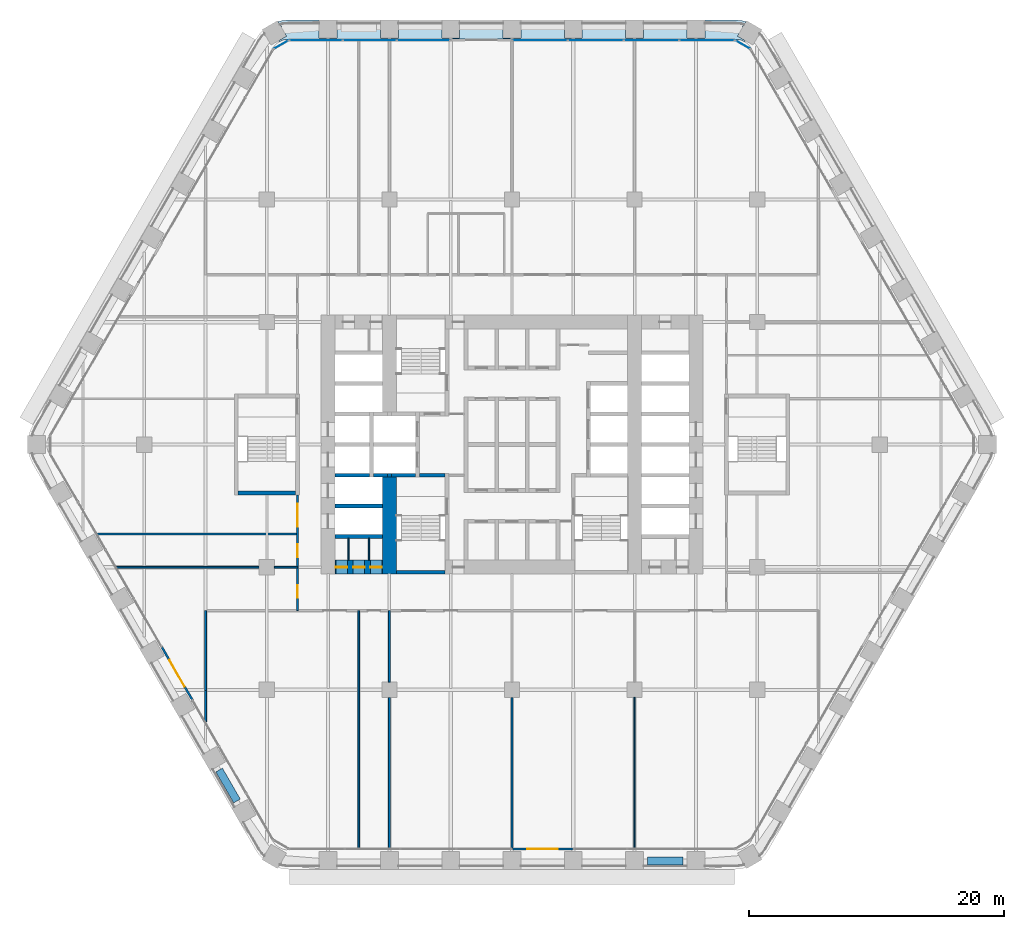
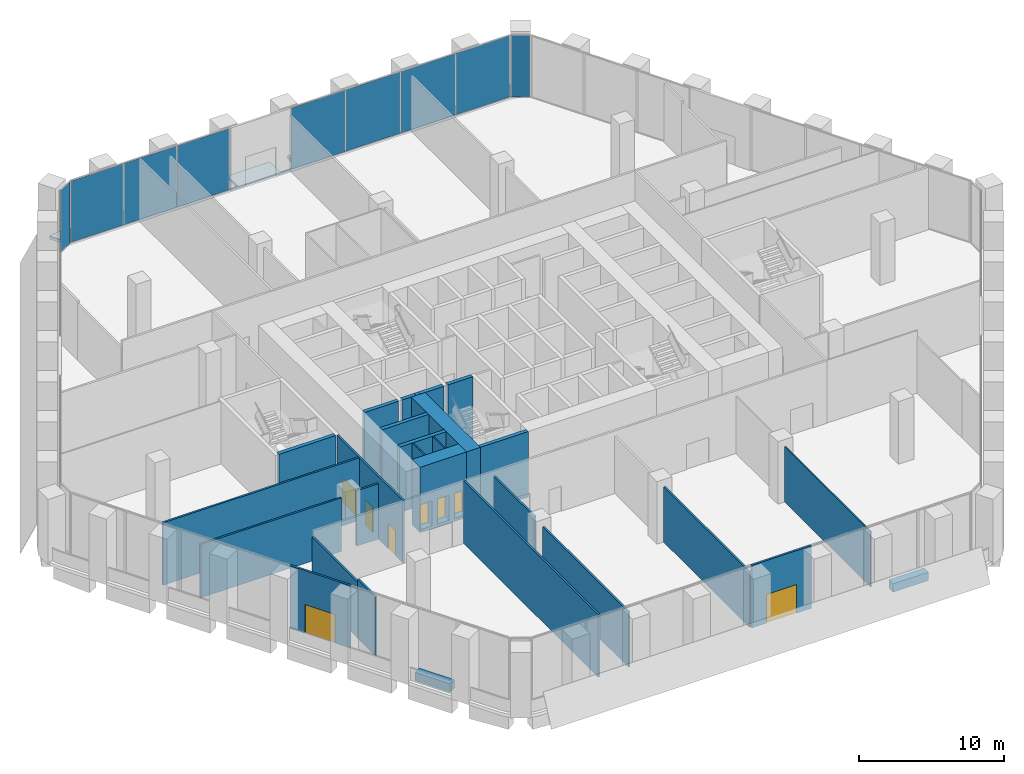
# One storey, part 17 of 27: 28 walls, 9 plates, 8 doors, 1 slab, 8 openings, 4 elements without a shape of their own.
"""IFC4 building model written with IfcOpenShell, lengths in metres."""

from ifc_helpers import new_model, si_unit, direction, frame, frame_2d, origin, origin_2d, place, context, subcontext, project, spatial, polyline, rectangle, outline, extrude, material, layer, layer_set, type_object, element, fill, aggregate, save


model = new_model("IFC4")

# Units and contexts
model_context = context("Model", 3, precision=1e-05, world=origin(), true_north=direction((0.0, 1.0)))
body_context = subcontext(model_context, "Body", "Model", "MODEL_VIEW")
ifc_project = project(units=[si_unit("LENGTHUNIT", "METRE"), si_unit("AREAUNIT", "SQUARE_METRE"), si_unit("VOLUMEUNIT", "CUBIC_METRE"), si_unit("PLANEANGLEUNIT", "RADIAN"), si_unit("MASSUNIT", "GRAM", prefix="KILO")], contexts=[model_context])

# Site, building, storey
site_placement = place(None, origin())
site = spatial("IfcSite", under=ifc_project, at=site_placement, CompositionType="ELEMENT")
building_placement = place(site_placement, origin())
building = spatial("IfcBuilding", under=site, at=building_placement, Name="Kolab Exchange Tower", CompositionType="ELEMENT")
storey_placement = place(building_placement, frame((0.0, 0.0, 44.39990234375)))
storey = spatial("IfcBuildingStorey", under=building, at=storey_placement, Name="L08", CompositionType="ELEMENT", Elevation=44.39990234375)

# Slab
ifc_material_1 = material(Name="Concrete C35/45", Category="concrete")
ifc_layer_1 = layer(ifc_material_1, 0.25)
ifc_layer_set_1 = layer_set([ifc_layer_1], Name="Concrete C35/45")
slab_type = type_object("IfcSlabType", Name="LOGGIA SLAB 250", PredefinedType="FLOOR", material=ifc_layer_set_1)
slab_placement = place(storey_placement, frame((0.0, 0.0, -0.25)))
element("IfcSlab", 1, at=slab_placement, inside=storey, type_object=slab_type, Name="slab/L08/loggia/0-0", PredefinedType="FLOOR", context=body_context, shape_type="SweptSolid", body=[
    extrude(outline(polyline([(18.218017578125, 31.554443359375), (18.26806640625, 31.64111328125), (17.66162109375, 31.990966796875), (18.31494140625, 33.122314453125), (17.989013671875, 33.209716796875), (17.468017578125, 33.25537109375), (15.10009765625, 33.25537109375), (15.10009765625, 31.85546875), (13.699951171875, 31.85546875), (13.699951171875, 33.25537109375), (10.300048828125, 33.25537109375), (10.300048828125, 31.85546875), (8.89990234375, 31.85546875), (8.89990234375, 33.25537109375), (5.5, 33.25537109375), (5.5, 31.85546875), (4.10009765625, 31.85546875), (4.10009765625, 33.25537109375), (0.699951171875, 33.25537109375), (0.699951171875, 31.85546875), (-0.699951171875, 31.85546875), (-0.699951171875, 33.25537109375), (-4.10009765625, 33.25537109375), (-4.10009765625, 31.85546875), (-5.5, 31.85546875), (-5.5, 33.25537109375), (-8.89990234375, 33.25537109375), (-8.89990234375, 31.85546875), (-10.300048828125, 31.85546875), (-10.300048828125, 33.25537109375), (-13.699951171875, 33.25537109375), (-13.699951171875, 31.85546875), (-15.10009765625, 31.85546875), (-15.10009765625, 33.25537109375), (-17.468017578125, 33.25537109375), (-17.989013671875, 33.209716796875), (-18.31494140625, 33.122314453125), (-17.66162109375, 31.990966796875), (-18.26806640625, 31.64111328125), (-18.218017578125, 31.554443359375), (-17.98095703125, 31.664794921875), (-17.728515625, 31.732666015625), (-17.468017578125, 31.75537109375), (17.468017578125, 31.75537109375), (17.728515625, 31.732666015625), (17.98095703125, 31.664794921875), (18.218017578125, 31.554443359375)])), origin(), (0.0, 0.0, 1.0), 0.25),
])

# Curtain wall, plates
ifc_material_2 = material(Name="Aluminium EN AW-6063 T6", Category="aluminium")
curtain_wall_type = type_object("IfcCurtainWallType", Name="UNITISED LOW ZONE CURTAIN WALL", PredefinedType="NOTDEFINED", material=ifc_material_2)
curtain_wall_1_placement = place(storey_placement, origin())
curtain_wall_1 = element("IfcCurtainWall", 2, at=curtain_wall_1_placement, inside=storey, type_object=curtain_wall_type, Name="cw/L08/F1-1", PredefinedType="NOTDEFINED")
ifc_material_3 = material(Name="Clear insulated glazing unit", Category="glass")
ifc_layer_2 = layer(ifc_material_3, 0.02392578125)
ifc_layer_set_2 = layer_set([ifc_layer_2], Name="Clear insulated glazing unit")
plate_type = type_object("IfcPlateType", Name="UNITISED LOW ZONE GLASS PANEL 24", PredefinedType="CURTAIN_PANEL", material=ifc_layer_set_2)
plate_1_placement = place(storey_placement, frame((-15.341552734375, 31.67529296875, 0.06005859375), z_axis=(0.0, 0.0, 1.0), x_axis=(1.0, 0.0, 0.0)))
plate_1 = element("IfcPlate", 3, at=plate_1_placement, type_object=plate_type, Name="CW1 panel 1.1", PredefinedType="CURTAIN_PANEL", context=body_context, shape_type="SweptSolid", body=[
    extrude(rectangle(XDim=4.132568359375, YDim=0.02392578125, at=origin_2d()), origin(), (0.0, 0.0, 1.0), 5.1298828125),
])
plate_2_placement = place(storey_placement, frame((-11.134033203125, 31.67529296875, 0.06005859375), z_axis=(0.0, 0.0, 1.0), x_axis=(1.0, 0.0, 0.0)))
plate_2 = element("IfcPlate", 4, at=plate_2_placement, type_object=plate_type, Name="CW1 panel 2.1", PredefinedType="CURTAIN_PANEL", context=body_context, shape_type="SweptSolid", body=[
    extrude(rectangle(XDim=4.16259765625, YDim=0.02392578125, at=origin_2d()), origin(), (0.0, 0.0, 1.0), 5.1298828125),
])
plate_3_placement = place(storey_placement, frame((-6.92626953125, 31.67529296875, 0.06005859375), z_axis=(0.0, 0.0, 1.0), x_axis=(1.0, 0.0, 0.0)))
plate_3 = element("IfcPlate", 5, at=plate_3_placement, type_object=plate_type, Name="CW1 panel 3.1", PredefinedType="CURTAIN_PANEL", context=body_context, shape_type="SweptSolid", body=[
    extrude(rectangle(XDim=4.132568359375, YDim=0.02392578125, at=origin_2d()), origin(), (0.0, 0.0, 1.0), 5.1298828125),
])
aggregate(curtain_wall_1, [plate_1, plate_2, plate_3])

curtain_wall_2_placement = place(storey_placement, origin())
curtain_wall_2 = element("IfcCurtainWall", 6, at=curtain_wall_2_placement, inside=storey, type_object=curtain_wall_type, Name="cw/L08/F1-2", PredefinedType="NOTDEFINED")
plate_4_placement = place(storey_placement, frame((2.198486328125, 31.67529296875, 0.06005859375), z_axis=(0.0, 0.0, 1.0), x_axis=(1.0, 0.0, 0.0)))
plate_4 = element("IfcPlate", 7, at=plate_4_placement, type_object=plate_type, Name="CW1 panel 1.1", PredefinedType="CURTAIN_PANEL", context=body_context, shape_type="SweptSolid", body=[
    extrude(rectangle(XDim=4.277099609375, YDim=0.02392578125, at=origin_2d()), origin(), (0.0, 0.0, 1.0), 5.1298828125),
])
plate_5_placement = place(storey_placement, frame((6.550537109375, 31.67529296875, 0.06005859375), z_axis=(0.0, 0.0, 1.0), x_axis=(1.0, 0.0, 0.0)))
plate_5 = element("IfcPlate", 8, at=plate_5_placement, type_object=plate_type, Name="CW1 panel 2.1", PredefinedType="CURTAIN_PANEL", context=body_context, shape_type="SweptSolid", body=[
    extrude(rectangle(XDim=4.306884765625, YDim=0.02392578125, at=origin_2d()), origin(), (0.0, 0.0, 1.0), 5.1298828125),
])
plate_6_placement = place(storey_placement, frame((10.91748046875, 31.67529296875, 0.06005859375), z_axis=(0.0, 0.0, 1.0), x_axis=(1.0, 0.0, 0.0)))
plate_6 = element("IfcPlate", 9, at=plate_6_placement, type_object=plate_type, Name="CW1 panel 3.1", PredefinedType="CURTAIN_PANEL", context=body_context, shape_type="SweptSolid", body=[
    extrude(rectangle(XDim=4.306884765625, YDim=0.02392578125, at=origin_2d()), origin(), (0.0, 0.0, 1.0), 5.1298828125),
])
plate_7_placement = place(storey_placement, frame((15.26953125, 31.67529296875, 0.06005859375), z_axis=(0.0, 0.0, 1.0), x_axis=(1.0, 0.0, 0.0)))
plate_7 = element("IfcPlate", 10, at=plate_7_placement, type_object=plate_type, Name="CW1 panel 4.1", PredefinedType="CURTAIN_PANEL", context=body_context, shape_type="SweptSolid", body=[
    extrude(rectangle(XDim=4.277099609375, YDim=0.02392578125, at=origin_2d()), origin(), (0.0, 0.0, 1.0), 5.1298828125),
])
aggregate(curtain_wall_2, [plate_4, plate_5, plate_6, plate_7])

# Curtain wall, plate
curtain_wall_3_placement = place(storey_placement, origin())
curtain_wall_3 = element("IfcCurtainWall", 11, at=curtain_wall_3_placement, inside=storey, type_object=curtain_wall_type, Name="cw/L08/F1F2-corner", PredefinedType="NOTDEFINED")
plate_8_placement = place(storey_placement, frame((18.082763671875, 31.3203125, 0.06005859375), z_axis=(0.0, 0.0, 1.0), x_axis=(0.866025390869, -0.50000002237, 0.0)))
plate_8 = element("IfcPlate", 12, at=plate_8_placement, type_object=plate_type, Name="CW1 panel 1.1", PredefinedType="CURTAIN_PANEL", context=body_context, shape_type="SweptSolid", body=[
    extrude(rectangle(XDim=1.300048828125, YDim=0.02392578125, at=origin_2d()), origin(), (0.0, 0.0, 1.0), 5.1298828125),
])
aggregate(curtain_wall_3, [plate_8])

curtain_wall_4_placement = place(storey_placement, origin())
curtain_wall_4 = element("IfcCurtainWall", 13, at=curtain_wall_4_placement, inside=storey, type_object=curtain_wall_type, Name="cw/L08/F6F1-corner", PredefinedType="NOTDEFINED")
plate_9_placement = place(storey_placement, frame((-18.082763671875, 31.3203125, 0.06005859375), z_axis=(0.0, 0.0, 1.0), x_axis=(0.866025390869, 0.50000002237, 0.0)))
plate_9 = element("IfcPlate", 14, at=plate_9_placement, type_object=plate_type, Name="CW1 panel 1.1", PredefinedType="CURTAIN_PANEL", context=body_context, shape_type="SweptSolid", body=[
    extrude(rectangle(XDim=1.300048828125, YDim=0.02392578125, at=origin_2d()), origin(), (0.0, 0.0, 1.0), 5.1298828125),
])
aggregate(curtain_wall_4, [plate_9])

# Wall, openings, doors
ifc_material_4 = material(Name="Concrete C80/95", Category="concrete")
ifc_layer_3 = layer(ifc_material_4, 1.10009765625)
ifc_layer_set_3 = layer_set([ifc_layer_3], Name="Concrete C80/95")
wall_type_1 = type_object("IfcWallType", Name="CORE WALL 1100 C80/95", PredefinedType="SHEAR", material=ifc_layer_set_3)
wall_1_placement = place(storey_placement, frame((-13.85009765625, -9.60009765625, -0.25), z_axis=(0.0, 0.0, 1.0), x_axis=(1.0, 0.0, 0.0)))
wall_1 = element("IfcWall", 15, at=wall_1_placement, inside=storey, type_object=wall_type_1, Name="wall/L08/core/002", PredefinedType="SHEAR", context=body_context, shape_type="SweptSolid", body=[
    extrude(rectangle(XDim=3.7001953125, YDim=1.10009765625, at=frame_2d((1.85009765625, 0.0))), origin(), (0.0, 0.0, 1.0), 5.5),
])
opening_1_placement = place(wall_1_placement, frame((0.050048828125, 0.0, 0.25)))
opening_1 = element("IfcOpeningElement", 16, at=opening_1_placement, cuts=wall_1, Name="Opening D6-112", PredefinedType="OPENING", context=body_context, shape_type="SweptSolid", body=[
    extrude(rectangle(XDim=0.89990234375, YDim=2.10009765625, at=frame_2d((0.449951171875, 1.050048828125))), frame((0.0, 0.56005859375, 0.0), z_axis=(0.0, -1.0, 0.0), x_axis=(1.0, 0.0, 0.0)), (0.0, 0.0, 1.0), 1.1201171875),
])
opening_2_placement = place(wall_1_placement, frame((1.39990234375, 0.0, 0.25)))
opening_2 = element("IfcOpeningElement", 17, at=opening_2_placement, cuts=wall_1, Name="Opening D6-113", PredefinedType="OPENING", context=body_context, shape_type="SweptSolid", body=[
    extrude(rectangle(XDim=0.89990234375, YDim=2.10009765625, at=frame_2d((0.449951171875, 1.050048828125))), frame((0.0, 0.56005859375, 0.0), z_axis=(0.0, -1.0, 0.0), x_axis=(1.0, 0.0, 0.0)), (0.0, 0.0, 1.0), 1.1201171875),
])
opening_3_placement = place(wall_1_placement, frame((2.75, 0.0, 0.25)))
opening_3 = element("IfcOpeningElement", 18, at=opening_3_placement, cuts=wall_1, Name="Opening D6-102", PredefinedType="OPENING", context=body_context, shape_type="SweptSolid", body=[
    extrude(rectangle(XDim=0.89990234375, YDim=2.10009765625, at=frame_2d((0.449951171875, 1.050048828125))), frame((0.0, 0.56005859375, 0.0), z_axis=(0.0, -1.0, 0.0), x_axis=(1.0, 0.0, 0.0)), (0.0, 0.0, 1.0), 1.1201171875),
])
ifc_material_5 = material(Name="Steel S235", Category="steel")
door_type_1 = type_object("IfcDoorType", Name="CORE DOOR 900 EI 120", OperationType="SINGLE_SWING_LEFT", PredefinedType="DOOR", material=ifc_material_5)
door_1_placement = place(opening_1_placement, origin())
door_1 = element("IfcDoor", 19, at=door_1_placement, inside=storey, type_object=door_type_1, Name="Service room door", OperationType="SINGLE_SWING_RIGHT", OverallHeight=2.10009765625, OverallWidth=0.89990234375, PredefinedType="DOOR", context=body_context, shape_type="SweptSolid", body=[
    extrude(rectangle(XDim=0.89990234375, YDim=2.10009765625, at=frame_2d((0.449951171875, 1.050048828125))), frame((0.0, 0.02490234375, 0.0), z_axis=(0.0, -1.0, 0.0), x_axis=(1.0, 0.0, 0.0)), (0.0, 0.0, 1.0), 0.050048828125),
])
fill(opening_1, door_1)
door_2_placement = place(opening_2_placement, origin())
door_2 = element("IfcDoor", 20, at=door_2_placement, inside=storey, type_object=door_type_1, Name="Service room door", OperationType="SINGLE_SWING_LEFT", OverallHeight=2.10009765625, OverallWidth=0.89990234375, PredefinedType="DOOR", context=body_context, shape_type="SweptSolid", body=[
    extrude(rectangle(XDim=0.89990234375, YDim=2.10009765625, at=frame_2d((0.449951171875, 1.050048828125))), frame((0.0, 0.02490234375, 0.0), z_axis=(0.0, -1.0, 0.0), x_axis=(1.0, 0.0, 0.0)), (0.0, 0.0, 1.0), 0.050048828125),
])
fill(opening_2, door_2)
door_3_placement = place(opening_3_placement, origin())
door_3 = element("IfcDoor", 21, at=door_3_placement, inside=storey, type_object=door_type_1, Name="Service room door", OperationType="SINGLE_SWING_LEFT", OverallHeight=2.10009765625, OverallWidth=0.89990234375, PredefinedType="DOOR", context=body_context, shape_type="SweptSolid", body=[
    extrude(rectangle(XDim=0.89990234375, YDim=2.10009765625, at=frame_2d((0.449951171875, 1.050048828125))), frame((0.0, 0.02490234375, 0.0), z_axis=(0.0, -1.0, 0.0), x_axis=(1.0, 0.0, 0.0)), (0.0, 0.0, 1.0), 0.050048828125),
])
fill(opening_3, door_3)

# Wall
wall_2_placement = place(storey_placement, frame((-9.60009765625, -10.14990234375, -0.25), z_axis=(0.0, 0.0, 1.0), x_axis=(0.0, 1.0, 0.0)))
element("IfcWall", 22, at=wall_2_placement, inside=storey, type_object=wall_type_1, Name="wall/L08/core/059", PredefinedType="SHEAR", context=body_context, shape_type="SweptSolid", body=[
    extrude(rectangle(XDim=7.599853515625, YDim=1.10009765625, at=frame_2d((3.7998046875, 0.0))), origin(), (0.0, 0.0, 1.0), 5.5),
])

# Wall, opening, door
ifc_layer_4 = layer(ifc_material_2, 0.159912109375)
ifc_layer_set_4 = layer_set([ifc_layer_4], Name="Aluminium EN AW-6063 T6")
wall_type_2 = type_object("IfcWallType", Name="DOOR SURROUND WALL 160 ALUMINIUM FRAMED", PredefinedType="PARTITIONING", material=ifc_layer_set_4)
wall_3_placement = place(storey_placement, frame((4.77001953125, -31.67529296875, 0.0), z_axis=(0.0, 0.0, 1.0), x_axis=(-1.0, 0.0, 0.0)))
wall_3 = element("IfcWall", 23, at=wall_3_placement, inside=storey, type_object=wall_type_2, Name="Door surround wall", PredefinedType="PARTITIONING", context=body_context, shape_type="SweptSolid", body=[
    extrude(rectangle(XDim=4.739990234375, YDim=0.159912109375, at=frame_2d((2.3701171875, 0.0))), origin(), (0.0, 0.0, 1.0), 5.25),
])
opening_4_placement = place(wall_3_placement, frame((1.169921875, 0.0, 0.0)))
opening_4 = element("IfcOpeningElement", 24, at=opening_4_placement, cuts=wall_3, Name="Opening GD1-020", PredefinedType="OPENING", context=body_context, shape_type="SweptSolid", body=[
    extrude(rectangle(XDim=2.39990234375, YDim=2.39990234375, at=frame_2d((1.199951171875, 1.199951171875))), frame((0.0, 0.08984375, 0.0), z_axis=(0.0, -1.0, 0.0), x_axis=(1.0, 0.0, 0.0)), (0.0, 0.0, 1.0), 0.179931640625),
])
door_type_2 = type_object("IfcDoorType", Name="LOGGIA SLIDING GLASS DOOR 2400 X 2400", OperationType="DOUBLE_DOOR_SINGLE_SWING", PredefinedType="DOOR", material=ifc_material_2)
door_4_placement = place(opening_4_placement, origin())
door_4 = element("IfcDoor", 25, at=door_4_placement, inside=storey, type_object=door_type_2, Name="Loggia door", OperationType="DOUBLE_DOOR_SLIDING", OverallHeight=2.39990234375, OverallWidth=2.39990234375, PredefinedType="DOOR", context=body_context, shape_type="SweptSolid", body=[
    extrude(rectangle(XDim=2.39990234375, YDim=2.39990234375, at=frame_2d((1.199951171875, 1.199951171875))), frame((0.0, 0.02490234375, 0.0), z_axis=(0.0, -1.0, 0.0), x_axis=(1.0, 0.0, 0.0)), (0.0, 0.0, 1.0), 0.050048828125),
])
fill(opening_4, door_4)

wall_4_placement = place(storey_placement, frame((-25.046630859375, -19.96875, 0.0), z_axis=(0.0, 0.0, 1.0), x_axis=(-0.5000167099, 0.866015756104, 0.0)))
wall_4 = element("IfcWall", 26, at=wall_4_placement, inside=storey, type_object=wall_type_2, Name="Door surround wall", PredefinedType="PARTITIONING", context=body_context, shape_type="SweptSolid", body=[
    extrude(rectangle(XDim=4.739990234375, YDim=0.159912109375, at=frame_2d((2.3701171875, 0.0))), origin(), (0.0, 0.0, 1.0), 5.25),
])
opening_5_placement = place(wall_4_placement, frame((1.169921875, 0.0, 0.0)))
opening_5 = element("IfcOpeningElement", 27, at=opening_5_placement, cuts=wall_4, Name="Opening GD1-021", PredefinedType="OPENING", context=body_context, shape_type="SweptSolid", body=[
    extrude(rectangle(XDim=2.39990234375, YDim=2.39990234375, at=frame_2d((1.199951171875, 1.199951171875))), frame((0.0, 0.08984375, 0.0), z_axis=(0.0, -1.0, 0.0), x_axis=(1.0, 0.0, 0.0)), (0.0, 0.0, 1.0), 0.179931640625),
])
door_5_placement = place(opening_5_placement, origin())
door_5 = element("IfcDoor", 28, at=door_5_placement, inside=storey, type_object=door_type_2, Name="Loggia door", OperationType="DOUBLE_DOOR_SLIDING", OverallHeight=2.39990234375, OverallWidth=2.39990234375, PredefinedType="DOOR", context=body_context, shape_type="SweptSolid", body=[
    extrude(rectangle(XDim=2.39990234375, YDim=2.39990234375, at=frame_2d((1.199951171875, 1.199951171875))), frame((0.0, 0.02490234375, 0.0), z_axis=(0.0, -1.0, 0.0), x_axis=(1.0, 0.0, 0.0)), (0.0, 0.0, 1.0), 0.050048828125),
])
fill(opening_5, door_5)

# Walls
ifc_material_6 = material(Name="Concrete C50/60", Category="concrete")
ifc_layer_5 = layer(ifc_material_6, 0.300048828125)
ifc_layer_set_5 = layer_set([ifc_layer_5], Name="Concrete C50/60")
wall_type_3 = type_object("IfcWallType", Name="LIFT SHAFT WALL 300 C50/60", PredefinedType="STANDARD", material=ifc_layer_set_5)
for number, where, z_axis, x_axis, name in (
    (29, (-13.85009765625, -7.199951171875, -0.25), (0.0, 0.0, 1.0), (1.0, 0.0, 0.0), "wall/L08/core/005"),
    (30, (-13.85009765625, -4.800048828125, -0.25), (0.0, 0.0, 1.0), (1.0, 0.0, 0.0), "wall/L08/core/010"),
):
    element("IfcWall", number, at=place(storey_placement, frame(where, z_axis=z_axis, x_axis=x_axis)), inside=storey, type_object=wall_type_3, Name=name, PredefinedType="STANDARD", context=body_context, shape_type="SweptSolid", body=[
        extrude(rectangle(XDim=3.7001953125, YDim=0.300048828125, at=frame_2d((1.85009765625, 0.0))), origin(), (0.0, 0.0, 1.0), 5.5),
    ])
wall_5_placement = place(storey_placement, frame((-13.85009765625, -2.39990234375, -0.25), z_axis=(0.0, 0.0, 1.0), x_axis=(1.0, 0.0, 0.0)))
element("IfcWall", 31, at=wall_5_placement, inside=storey, type_object=wall_type_3, Name="wall/L08/core/017", PredefinedType="STANDARD", context=body_context, shape_type="SweptSolid", body=[
    extrude(rectangle(XDim=2.7001953125, YDim=0.300048828125, at=frame_2d((1.35009765625, 0.0))), origin(), (0.0, 0.0, 1.0), 5.5),
])
wall_6_placement = place(storey_placement, frame((-10.85009765625, -2.39990234375, -0.25), z_axis=(0.0, 0.0, 1.0), x_axis=(1.0, 0.0, 0.0)))
element("IfcWall", 32, at=wall_6_placement, inside=storey, type_object=wall_type_3, Name="wall/L08/core/018", PredefinedType="STANDARD", context=body_context, shape_type="SweptSolid", body=[
    extrude(rectangle(XDim=1.10009765625, YDim=0.300048828125, at=frame_2d((0.550048828125, 0.0))), origin(), (0.0, 0.0, 1.0), 5.5),
])
ifc_material_7 = material(Name="Gypsum board", Category="gypsum")
ifc_layer_6 = layer(ifc_material_7, 0.10009765625)
ifc_layer_set_6 = layer_set([ifc_layer_6], Name="Gypsum board")
wall_type_4 = type_object("IfcWallType", Name="PARTITION 100", PredefinedType="PARTITIONING", material=ifc_layer_set_6)
wall_7_placement = place(storey_placement, frame((9.60009765625, -31.58544921875, 0.0), z_axis=(0.0, 0.0, 1.0), x_axis=(0.0, 1.0, 0.0)))
element("IfcWall", 33, at=wall_7_placement, inside=storey, type_object=wall_type_4, Name="Partition 005", PredefinedType="PARTITIONING", context=body_context, shape_type="SweptSolid", body=[
    extrude(rectangle(XDim=11.785400390625, YDim=0.10009765625, at=frame_2d((5.892578125, 0.0))), origin(), (0.0, 0.0, 1.0), 4.64208984375),
])
for number, where, z_axis, x_axis, name in (
    (34, (-11.199951171875, -9.050048828125, 0.0), (0.0, 0.0, 1.0), (0.0, 1.0, 0.0), "Partition 020"),
    (35, (-12.800048828125, -9.050048828125, 0.0), (0.0, 0.0, 1.0), (0.0, 1.0, 0.0), "Partition 024"),
):
    element("IfcWall", number, at=place(storey_placement, frame(where, z_axis=z_axis, x_axis=x_axis)), inside=storey, type_object=wall_type_4, Name=name, PredefinedType="PARTITIONING", context=body_context, shape_type="SweptSolid", body=[
        extrude(rectangle(XDim=1.699951171875, YDim=0.10009765625, at=frame_2d((0.85009765625, 0.0))), origin(), (0.0, 0.0, 1.0), 5.25),
    ])
ifc_layer_7 = layer(ifc_material_7, 0.14990234375)
ifc_layer_set_7 = layer_set([ifc_layer_7], Name="Gypsum board")
wall_type_5 = type_object("IfcWallType", Name="PARTITION 150 FIRE-RATED", PredefinedType="PARTITIONING", material=ifc_layer_set_7)
wall_8_placement = place(storey_placement, frame((0.0, -31.595458984375, 0.0), z_axis=(0.0, 0.0, 1.0), x_axis=(0.0, 1.0, 0.0)))
element("IfcWall", 36, at=wall_8_placement, inside=storey, type_object=wall_type_5, Name="Partition 009", PredefinedType="PARTITIONING", context=body_context, shape_type="SweptSolid", body=[
    extrude(rectangle(XDim=11.79541015625, YDim=0.14990234375, at=frame_2d((5.897705078125, 0.0))), origin(), (0.0, 0.0, 1.0), 4.64208984375),
])
wall_9_placement = place(storey_placement, frame((-9.60009765625, -31.58544921875, 0.0), z_axis=(0.0, 0.0, 1.0), x_axis=(0.0, 1.0, 0.0)))
element("IfcWall", 37, at=wall_9_placement, inside=storey, type_object=wall_type_5, Name="Partition 016", PredefinedType="PARTITIONING", context=body_context, shape_type="SweptSolid", body=[
    extrude(rectangle(XDim=11.785400390625, YDim=0.14990234375, at=frame_2d((5.892578125, 0.0))), origin(), (0.0, 0.0, 1.0), 4.64208984375),
])
wall_10_placement = place(storey_placement, frame((-9.60009765625, -18.60009765625, 0.0), z_axis=(0.0, 0.0, 1.0), x_axis=(0.0, 1.0, 0.0)))
element("IfcWall", 38, at=wall_10_placement, inside=storey, type_object=wall_type_5, Name="Partition 017", PredefinedType="PARTITIONING", context=body_context, shape_type="SweptSolid", body=[
    extrude(rectangle(XDim=5.60009765625, YDim=0.14990234375, at=frame_2d((2.800048828125, 0.0))), origin(), (0.0, 0.0, 1.0), 4.793212890625),
])
wall_11_placement = place(storey_placement, frame((-12.0, -31.58544921875, 0.0), z_axis=(0.0, 0.0, 1.0), x_axis=(0.0, 1.0, 0.0)))
element("IfcWall", 39, at=wall_11_placement, inside=storey, type_object=wall_type_5, Name="Partition 022", PredefinedType="PARTITIONING", context=body_context, shape_type="SweptSolid", body=[
    extrude(rectangle(XDim=18.58544921875, YDim=0.14990234375, at=frame_2d((9.292724609375, 0.0))), origin(), (0.0, 0.0, 1.0), 5.25),
])

# Wall, openings, doors
wall_12_placement = place(storey_placement, frame((-16.800048828125, -13.0, 0.0), z_axis=(0.0, 0.0, 1.0), x_axis=(0.0, 1.0, 0.0)))
wall_12 = element("IfcWall", 40, at=wall_12_placement, inside=storey, type_object=wall_type_5, Name="Partition 025", PredefinedType="PARTITIONING", context=body_context, shape_type="SweptSolid", body=[
    extrude(rectangle(XDim=9.050048828125, YDim=0.14990234375, at=frame_2d((4.52490234375, 0.0))), origin(), (0.0, 0.0, 1.0), 5.25),
])
opening_6_placement = place(wall_12_placement, frame((1.0, 0.0, 0.0)))
opening_6 = element("IfcOpeningElement", 41, at=opening_6_placement, cuts=wall_12, Name="Opening D1-120", PredefinedType="OPENING", context=body_context, shape_type="SweptSolid", body=[
    extrude(rectangle(XDim=1.0, YDim=2.10009765625, at=frame_2d((0.5, 1.050048828125))), frame((0.0, 0.0849609375, 0.0), z_axis=(0.0, -1.0, 0.0), x_axis=(1.0, 0.0, 0.0)), (0.0, 0.0, 1.0), 0.169921875),
])
opening_7_placement = place(wall_12_placement, frame((4.199951171875, 0.0, 0.0)))
opening_7 = element("IfcOpeningElement", 42, at=opening_7_placement, cuts=wall_12, Name="Opening D1-121", PredefinedType="OPENING", context=body_context, shape_type="SweptSolid", body=[
    extrude(rectangle(XDim=1.0, YDim=2.10009765625, at=frame_2d((0.5, 1.050048828125))), frame((0.0, 0.0849609375, 0.0), z_axis=(0.0, -1.0, 0.0), x_axis=(1.0, 0.0, 0.0)), (0.0, 0.0, 1.0), 0.169921875),
])
opening_8_placement = place(wall_12_placement, frame((6.574951171875, 0.0, 0.0)))
opening_8 = element("IfcOpeningElement", 43, at=opening_8_placement, cuts=wall_12, Name="Opening D2-026", PredefinedType="OPENING", context=body_context, shape_type="SweptSolid", body=[
    extrude(rectangle(XDim=1.800048828125, YDim=2.10009765625, at=frame_2d((0.89990234375, 1.050048828125))), frame((0.0, 0.0849609375, 0.0), z_axis=(0.0, -1.0, 0.0), x_axis=(1.0, 0.0, 0.0)), (0.0, 0.0, 1.0), 0.169921875),
])
door_type_3 = type_object("IfcDoorType", Name="DOUBLE DOOR 1800 FD60", OperationType="DOUBLE_DOOR_SINGLE_SWING", PredefinedType="DOOR", material=ifc_material_5)
door_6_placement = place(opening_8_placement, origin())
door_6 = element("IfcDoor", 44, at=door_6_placement, inside=storey, type_object=door_type_3, Name="Door L08-066", OperationType="SINGLE_SWING_LEFT", OverallHeight=2.10009765625, OverallWidth=1.800048828125, PredefinedType="DOOR", context=body_context, shape_type="SweptSolid", body=[
    extrude(rectangle(XDim=1.800048828125, YDim=2.10009765625, at=frame_2d((0.89990234375, 1.050048828125))), frame((0.0, 0.02490234375, 0.0), z_axis=(0.0, -1.0, 0.0), x_axis=(1.0, 0.0, 0.0)), (0.0, 0.0, 1.0), 0.050048828125),
])
fill(opening_8, door_6)
door_type_4 = type_object("IfcDoorType", Name="FLUSH DOOR 1000 FD60", OperationType="SINGLE_SWING_LEFT", PredefinedType="DOOR", material=ifc_material_5)
door_7_placement = place(opening_6_placement, origin())
door_7 = element("IfcDoor", 45, at=door_7_placement, inside=storey, type_object=door_type_4, Name="Door L08-064", OperationType="SINGLE_SWING_LEFT", OverallHeight=2.10009765625, OverallWidth=1.0, PredefinedType="DOOR", context=body_context, shape_type="SweptSolid", body=[
    extrude(rectangle(XDim=1.0, YDim=2.10009765625, at=frame_2d((0.5, 1.050048828125))), frame((0.0, 0.02490234375, 0.0), z_axis=(0.0, -1.0, 0.0), x_axis=(1.0, 0.0, 0.0)), (0.0, 0.0, 1.0), 0.050048828125),
])
fill(opening_6, door_7)
door_8_placement = place(opening_7_placement, origin())
door_8 = element("IfcDoor", 46, at=door_8_placement, inside=storey, type_object=door_type_4, Name="Door L08-065", OperationType="SINGLE_SWING_LEFT", OverallHeight=2.10009765625, OverallWidth=1.0, PredefinedType="DOOR", context=body_context, shape_type="SweptSolid", body=[
    extrude(rectangle(XDim=1.0, YDim=2.10009765625, at=frame_2d((0.5, 1.050048828125))), frame((0.0, 0.02490234375, 0.0), z_axis=(0.0, -1.0, 0.0), x_axis=(1.0, 0.0, 0.0)), (0.0, 0.0, 1.0), 0.050048828125),
])
fill(opening_7, door_8)

# Walls
wall_13_placement = place(storey_placement, frame((-24.0, -19.27392578125, 0.0), z_axis=(0.0, 0.0, 1.0), x_axis=(0.0, 1.0, 0.0)))
element("IfcWall", 47, at=wall_13_placement, inside=storey, type_object=wall_type_5, Name="Partition 027", PredefinedType="PARTITIONING", context=body_context, shape_type="SweptSolid", body=[
    extrude(rectangle(XDim=6.27392578125, YDim=0.14990234375, at=frame_2d((3.136962890625, 0.0))), origin(), (0.0, 0.0, 1.0), 4.717041015625),
])
wall_14_placement = place(storey_placement, frame((-24.0, -21.701416015625, 0.0), z_axis=(0.0, 0.0, 1.0), x_axis=(0.0, 1.0, 0.0)))
element("IfcWall", 48, at=wall_14_placement, inside=storey, type_object=wall_type_5, Name="Partition 027", PredefinedType="PARTITIONING", context=body_context, shape_type="SweptSolid", body=[
    extrude(rectangle(XDim=2.427490234375, YDim=0.14990234375, at=frame_2d((1.2138671875, 0.0))), origin(), (0.0, 0.0, 1.0), 4.940185546875),
])
wall_15_placement = place(storey_placement, frame((-30.98681640625, -9.60009765625, 0.0), z_axis=(0.0, 0.0, 1.0), x_axis=(1.0, 0.0, 0.0)))
element("IfcWall", 49, at=wall_15_placement, inside=storey, type_object=wall_type_5, Name="Partition 033", PredefinedType="PARTITIONING", context=body_context, shape_type="SweptSolid", body=[
    extrude(rectangle(XDim=11.186767578125, YDim=0.14990234375, at=frame_2d((5.59326171875, 0.0))), origin(), (0.0, 0.0, 1.0), 4.488037109375),
])
wall_16_placement = place(storey_placement, frame((-18.60009765625, -9.60009765625, 0.0), z_axis=(0.0, 0.0, 1.0), x_axis=(1.0, 0.0, 0.0)))
element("IfcWall", 50, at=wall_16_placement, inside=storey, type_object=wall_type_5, Name="Partition 034", PredefinedType="PARTITIONING", context=body_context, shape_type="SweptSolid", body=[
    extrude(rectangle(XDim=1.800048828125, YDim=0.14990234375, at=frame_2d((0.89990234375, 0.0))), origin(), (0.0, 0.0, 1.0), 4.64208984375),
])
wall_17_placement = place(storey_placement, frame((-32.48779296875, -7.0, 0.0), z_axis=(0.0, 0.0, 1.0), x_axis=(1.0, 0.0, 0.0)))
element("IfcWall", 51, at=wall_17_placement, inside=storey, type_object=wall_type_5, Name="Partition 035", PredefinedType="PARTITIONING", context=body_context, shape_type="SweptSolid", body=[
    extrude(rectangle(XDim=15.687744140625, YDim=0.14990234375, at=frame_2d((7.84375, 0.0))), origin(), (0.0, 0.0, 1.0), 5.25),
])
ifc_material_8 = material(Name="Granite facing", Category="masonry")
ifc_layer_8 = layer(ifc_material_8, 0.0400390625)
ifc_material_9 = material(Name="Concrete C40/50 precast", Category="concrete")
ifc_layer_9 = layer(ifc_material_9, 0.56005859375)
ifc_layer_set_8 = layer_set([ifc_layer_8, ifc_layer_9], Name="Concrete C40/50 precast")
wall_type_6 = type_object("IfcWallType", Name="PLANTER BOX 600 X 700 SOIL DEPTH 550", PredefinedType="USERDEFINED", material=ifc_layer_set_8)
for number, where, z_axis, x_axis, name in (
    (52, (13.39990234375, -32.60546875, 0.0), (0.0, 0.0, 1.0), (-1.0, 0.0, 0.0), "Planter"),
    (53, (-21.537109375, -27.907470703125, 0.0), (0.0, 0.0, 1.0), (-0.49998411664, 0.866034573852, 0.0), "Planter"),
):
    element("IfcWall", number, at=place(storey_placement, frame(where, z_axis=z_axis, x_axis=x_axis)), inside=storey, type_object=wall_type_6, Name=name, ObjectType="PLANTER", PredefinedType="USERDEFINED", context=body_context, shape_type="SweptSolid", body=[
        extrude(rectangle(XDim=2.7998046875, YDim=0.60009765625, at=frame_2d((1.39990234375, 0.0))), origin(), (0.0, 0.0, 1.0), 0.7001953125),
    ])
ifc_layer_10 = layer(ifc_material_6, 0.300048828125)
ifc_layer_set_9 = layer_set([ifc_layer_10], Name="Concrete C50/60")
wall_type_7 = type_object("IfcWallType", Name="STAIR ENCLOSURE WALL 300 C50/60", PredefinedType="STANDARD", material=ifc_layer_set_9)
wall_18_placement = place(storey_placement, frame((-9.050048828125, -10.0, -0.25), z_axis=(0.0, 0.0, 1.0), x_axis=(1.0, 0.0, 0.0)))
element("IfcWall", 54, at=wall_18_placement, inside=storey, type_object=wall_type_7, Name="wall/L08/core/000", PredefinedType="STANDARD", context=body_context, shape_type="SweptSolid", body=[
    extrude(rectangle(XDim=3.800048828125, YDim=0.300048828125, at=frame_2d((1.89990234375, 0.0))), origin(), (0.0, 0.0, 1.0), 5.5),
])
wall_19_placement = place(storey_placement, frame((-21.449951171875, -3.800048828125, -0.25), z_axis=(0.0, 0.0, 1.0), x_axis=(1.0, 0.0, 0.0)))
element("IfcWall", 55, at=wall_19_placement, inside=storey, type_object=wall_type_7, Name="wall/L08/core/012", PredefinedType="STANDARD", context=body_context, shape_type="SweptSolid", body=[
    extrude(rectangle(XDim=4.5, YDim=0.300048828125, at=frame_2d((2.25, 0.0))), origin(), (0.0, 0.0, 1.0), 5.5),
])
wall_20_placement = place(storey_placement, frame((-9.449951171875, -2.39990234375, -0.25), z_axis=(0.0, 0.0, 1.0), x_axis=(1.0, 0.0, 0.0)))
element("IfcWall", 56, at=wall_20_placement, inside=storey, type_object=wall_type_7, Name="wall/L08/core/019", PredefinedType="STANDARD", context=body_context, shape_type="SweptSolid", body=[
    extrude(rectangle(XDim=1.89990234375, YDim=0.300048828125, at=frame_2d((0.949951171875, 0.0))), origin(), (0.0, 0.0, 1.0), 5.5),
])
wall_21_placement = place(storey_placement, frame((-7.25, -2.39990234375, -0.25), z_axis=(0.0, 0.0, 1.0), x_axis=(1.0, 0.0, 0.0)))
element("IfcWall", 57, at=wall_21_placement, inside=storey, type_object=wall_type_7, Name="wall/L08/core/020", PredefinedType="STANDARD", context=body_context, shape_type="SweptSolid", body=[
    extrude(rectangle(XDim=2.0, YDim=0.300048828125, at=frame_2d((1.0, 0.0))), origin(), (0.0, 0.0, 1.0), 5.5),
])
wall_22_placement = place(storey_placement, frame((-9.60009765625, -2.550048828125, -0.25), z_axis=(0.0, 0.0, 1.0), x_axis=(0.0, 1.0, 0.0)))
element("IfcWall", 58, at=wall_22_placement, inside=storey, type_object=wall_type_7, Name="wall/L08/core/060", PredefinedType="STANDARD", context=body_context, shape_type="SweptSolid", body=[
    extrude(rectangle(XDim=0.300048828125, YDim=0.300048828125, at=frame_2d((0.14990234375, 0.0))), origin(), (0.0, 0.0, 1.0), 5.5),
])

save(model, "model.ifc")
